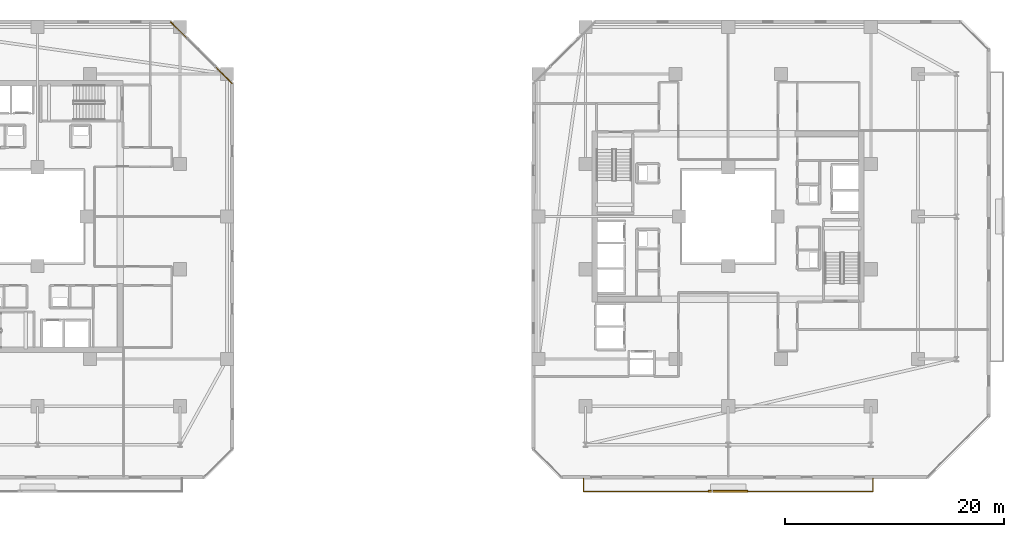
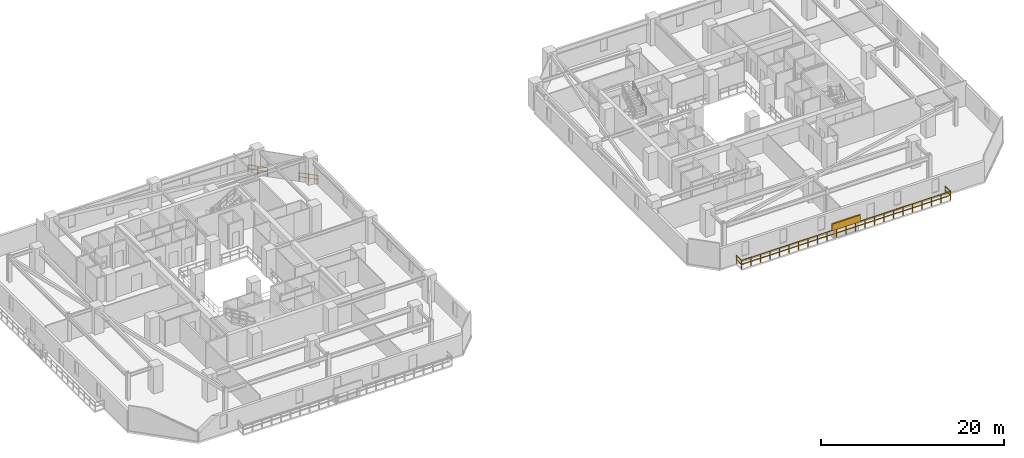
# One storey, part 29 of 31: 3 railings, 1 shading device.
"""IFC4 building model written with IfcOpenShell, lengths in metres."""

from ifc_helpers import new_model, si_unit, direction, frame, origin, origin_2d, place, context, subcontext, project, spatial, rectangle, extrude, material, type_object, element, save


model = new_model("IFC4")

# Units and contexts
model_context = context("Model", 3, precision=1e-05, world=origin(), true_north=direction((0.0, 1.0)))
body_context = subcontext(model_context, "Body", "Model", "MODEL_VIEW")
ifc_project = project(units=[si_unit("LENGTHUNIT", "METRE"), si_unit("AREAUNIT", "SQUARE_METRE"), si_unit("VOLUMEUNIT", "CUBIC_METRE"), si_unit("PLANEANGLEUNIT", "RADIAN"), si_unit("MASSUNIT", "GRAM", prefix="KILO")], contexts=[model_context])

# Site, building, storey
site_placement = place(None, origin())
site = spatial("IfcSite", under=ifc_project, at=site_placement, CompositionType="ELEMENT")
building_placement = place(site_placement, origin())
building = spatial("IfcBuilding", under=site, at=building_placement, Name="Thornwick Lancets Civic Towers", CompositionType="ELEMENT")
storey_placement = place(building_placement, frame((0.0, 0.0, 126.89990234375)))
storey = spatial("IfcBuildingStorey", under=building, at=storey_placement, Name="L33", CompositionType="ELEMENT", Elevation=126.89990234375)

# Railings
ifc_material_1 = material(Name="Terracotta-capped laminated glass balustrade S355", Category="masonry")
railing_type = type_object("IfcRailingType", Name="RAIL_TERR_GUARD", PredefinedType="GUARDRAIL", material=ifc_material_1)
railing_1_placement = place(storey_placement, frame((43.254638671875, 39.14794921875, 0.0)))
element("IfcRailing", 1, at=railing_1_placement, inside=storey, type_object=railing_type, Name="L33 Tower A Chamfer Spandrel Guard E3-1", PredefinedType="GUARDRAIL", context=body_context, shape_type="SweptSolid", body=[
    extrude(rectangle(XDim=0.048095703125, YDim=0.048095703125, at=origin_2d()), frame((0.0, 0.0, 1.1259765625), z_axis=(-0.707162929738, 0.707050628177, 0.0), x_axis=(-0.707050628177, -0.707162929738, 0.0)), (0.0, 0.0, 1.0), 2.174072265625),
    extrude(rectangle(XDim=0.0419921875, YDim=0.0419921875, at=origin_2d()), frame((-0.026611328125, 0.026611328125, 0.597900390625), z_axis=(-0.707162929738, 0.707050628177, 0.0), x_axis=(-0.707050628177, -0.707162929738, 0.0)), (0.0, 0.0, 1.0), 1.011962890625),
    extrude(rectangle(XDim=0.0419921875, YDim=0.0419921875, at=origin_2d()), frame((-0.795166015625, 0.795166015625, 0.597900390625), z_axis=(-0.707162929738, 0.707050628177, 0.0), x_axis=(-0.707050628177, -0.707162929738, 0.0)), (0.0, 0.0, 1.0), 1.011962890625),
    extrude(rectangle(XDim=0.0419921875, YDim=0.0419921875, at=origin_2d()), origin(), (0.0, 0.0, 1.0), 1.095703125),
    extrude(rectangle(XDim=0.0419921875, YDim=0.0419921875, at=origin_2d()), frame((-0.7685546875, 0.7685546875, 0.0)), (0.0, 0.0, 1.0), 1.095703125),
    extrude(rectangle(XDim=0.0419921875, YDim=0.0419921875, at=origin_2d()), frame((-1.537353515625, 1.537109375, 0.0)), (0.0, 0.0, 1.0), 1.095703125),
])
railing_2_placement = place(storey_placement, frame((39.18505859375, 43.21728515625, 0.0)))
element("IfcRailing", 2, at=railing_2_placement, inside=storey, type_object=railing_type, Name="L33 Tower A Chamfer Spandrel Guard E3-2", PredefinedType="GUARDRAIL", context=body_context, shape_type="SweptSolid", body=[
    extrude(rectangle(XDim=0.048095703125, YDim=0.048095703125, at=origin_2d()), frame((0.0, 0.0, 1.1259765625), z_axis=(-0.707050628177, 0.707162929738, 0.0), x_axis=(-0.707162929738, -0.707050628177, 0.0)), (0.0, 0.0, 1.0), 2.174072265625),
    extrude(rectangle(XDim=0.0419921875, YDim=0.0419921875, at=origin_2d()), frame((-0.026611328125, 0.026611328125, 0.597900390625), z_axis=(-0.707050628177, 0.707162929738, 0.0), x_axis=(-0.707162929738, -0.707050628177, 0.0)), (0.0, 0.0, 1.0), 1.011962890625),
    extrude(rectangle(XDim=0.0419921875, YDim=0.0419921875, at=origin_2d()), frame((-0.795166015625, 0.795166015625, 0.597900390625), z_axis=(-0.707050628177, 0.707162929738, 0.0), x_axis=(-0.707162929738, -0.707050628177, 0.0)), (0.0, 0.0, 1.0), 1.011962890625),
    extrude(rectangle(XDim=0.0419921875, YDim=0.0419921875, at=origin_2d()), origin(), (0.0, 0.0, 1.0), 1.095703125),
    extrude(rectangle(XDim=0.0419921875, YDim=0.0419921875, at=origin_2d()), frame((-0.7685546875, 0.7685546875, 0.0)), (0.0, 0.0, 1.0), 1.095703125),
    extrude(rectangle(XDim=0.0419921875, YDim=0.0419921875, at=origin_2d()), frame((-1.537109375, 1.537353515625, 0.0)), (0.0, 0.0, 1.0), 1.095703125),
])
railing_3_placement = place(storey_placement, frame((75.300048828125, 3.10009765625, 0.0)))
element("IfcRailing", 3, at=railing_3_placement, inside=storey, type_object=railing_type, Name="L33 Tower B Balcony Guard S", PredefinedType="GUARDRAIL", context=body_context, shape_type="SweptSolid", body=[
    extrude(rectangle(XDim=0.048095703125, YDim=0.048095703125, at=origin_2d()), frame((0.0, 0.0, 1.1259765625), z_axis=(0.0, -1.0, 0.0), x_axis=(1.0, 0.0, 0.0)), (0.0, 0.0, 1.0), 1.138916015625),
    extrude(rectangle(XDim=0.0419921875, YDim=0.0419921875, at=origin_2d()), frame((0.0, -0.03759765625, 0.597900390625), z_axis=(0.0, -1.0, 0.0), x_axis=(1.0, 0.0, 0.0)), (0.0, 0.0, 1.0), 1.09521484375),
    extrude(rectangle(XDim=0.048095703125, YDim=0.048095703125, at=origin_2d()), frame((0.03125, -1.170166015625, 1.1259765625), z_axis=(1.0, 0.0, 0.0), x_axis=(0.0, 1.0, 0.0)), (0.0, 0.0, 1.0), 26.33740234375),
    extrude(rectangle(XDim=0.0419921875, YDim=0.0419921875, at=origin_2d()), frame((0.03759765625, -1.170166015625, 0.597900390625), z_axis=(1.0, 0.0, 0.0), x_axis=(0.0, 1.0, 0.0)), (0.0, 0.0, 1.0), 1.125),
    extrude(rectangle(XDim=0.0419921875, YDim=0.0419921875, at=origin_2d()), frame((1.237548828125, -1.170166015625, 0.597900390625), z_axis=(1.0, 0.0, 0.0), x_axis=(0.0, 1.0, 0.0)), (0.0, 0.0, 1.0), 1.125),
    extrude(rectangle(XDim=0.0419921875, YDim=0.0419921875, at=origin_2d()), frame((2.4375, -1.170166015625, 0.597900390625), z_axis=(1.0, 0.0, 0.0), x_axis=(0.0, 1.0, 0.0)), (0.0, 0.0, 1.0), 1.125),
    extrude(rectangle(XDim=0.0419921875, YDim=0.0419921875, at=origin_2d()), frame((3.637451171875, -1.170166015625, 0.597900390625), z_axis=(1.0, 0.0, 0.0), x_axis=(0.0, 1.0, 0.0)), (0.0, 0.0, 1.0), 1.125),
    extrude(rectangle(XDim=0.0419921875, YDim=0.0419921875, at=origin_2d()), frame((4.83740234375, -1.170166015625, 0.597900390625), z_axis=(1.0, 0.0, 0.0), x_axis=(0.0, 1.0, 0.0)), (0.0, 0.0, 1.0), 1.125),
    extrude(rectangle(XDim=0.0419921875, YDim=0.0419921875, at=origin_2d()), frame((6.037353515625, -1.170166015625, 0.597900390625), z_axis=(1.0, 0.0, 0.0), x_axis=(0.0, 1.0, 0.0)), (0.0, 0.0, 1.0), 1.125),
    extrude(rectangle(XDim=0.0419921875, YDim=0.0419921875, at=origin_2d()), frame((7.237548828125, -1.170166015625, 0.597900390625), z_axis=(1.0, 0.0, 0.0), x_axis=(0.0, 1.0, 0.0)), (0.0, 0.0, 1.0), 1.125),
    extrude(rectangle(XDim=0.0419921875, YDim=0.0419921875, at=origin_2d()), frame((8.4375, -1.170166015625, 0.597900390625), z_axis=(1.0, 0.0, 0.0), x_axis=(0.0, 1.0, 0.0)), (0.0, 0.0, 1.0), 1.125),
    extrude(rectangle(XDim=0.0419921875, YDim=0.0419921875, at=origin_2d()), frame((9.637451171875, -1.170166015625, 0.597900390625), z_axis=(1.0, 0.0, 0.0), x_axis=(0.0, 1.0, 0.0)), (0.0, 0.0, 1.0), 1.125),
    extrude(rectangle(XDim=0.0419921875, YDim=0.0419921875, at=origin_2d()), frame((10.83740234375, -1.170166015625, 0.597900390625), z_axis=(1.0, 0.0, 0.0), x_axis=(0.0, 1.0, 0.0)), (0.0, 0.0, 1.0), 1.125),
    extrude(rectangle(XDim=0.0419921875, YDim=0.0419921875, at=origin_2d()), frame((12.037353515625, -1.170166015625, 0.597900390625), z_axis=(1.0, 0.0, 0.0), x_axis=(0.0, 1.0, 0.0)), (0.0, 0.0, 1.0), 1.125),
    extrude(rectangle(XDim=0.0419921875, YDim=0.0419921875, at=origin_2d()), frame((13.237548828125, -1.170166015625, 0.597900390625), z_axis=(1.0, 0.0, 0.0), x_axis=(0.0, 1.0, 0.0)), (0.0, 0.0, 1.0), 1.125),
    extrude(rectangle(XDim=0.0419921875, YDim=0.0419921875, at=origin_2d()), frame((14.4375, -1.170166015625, 0.597900390625), z_axis=(1.0, 0.0, 0.0), x_axis=(0.0, 1.0, 0.0)), (0.0, 0.0, 1.0), 1.125),
    extrude(rectangle(XDim=0.0419921875, YDim=0.0419921875, at=origin_2d()), frame((15.637451171875, -1.170166015625, 0.597900390625), z_axis=(1.0, 0.0, 0.0), x_axis=(0.0, 1.0, 0.0)), (0.0, 0.0, 1.0), 1.125),
    extrude(rectangle(XDim=0.0419921875, YDim=0.0419921875, at=origin_2d()), frame((16.83740234375, -1.170166015625, 0.597900390625), z_axis=(1.0, 0.0, 0.0), x_axis=(0.0, 1.0, 0.0)), (0.0, 0.0, 1.0), 1.125),
    extrude(rectangle(XDim=0.0419921875, YDim=0.0419921875, at=origin_2d()), frame((18.037353515625, -1.170166015625, 0.597900390625), z_axis=(1.0, 0.0, 0.0), x_axis=(0.0, 1.0, 0.0)), (0.0, 0.0, 1.0), 1.125),
    extrude(rectangle(XDim=0.0419921875, YDim=0.0419921875, at=origin_2d()), frame((19.2373046875, -1.170166015625, 0.597900390625), z_axis=(1.0, 0.0, 0.0), x_axis=(0.0, 1.0, 0.0)), (0.0, 0.0, 1.0), 1.125),
    extrude(rectangle(XDim=0.0419921875, YDim=0.0419921875, at=origin_2d()), frame((20.4375, -1.170166015625, 0.597900390625), z_axis=(1.0, 0.0, 0.0), x_axis=(0.0, 1.0, 0.0)), (0.0, 0.0, 1.0), 1.125),
    extrude(rectangle(XDim=0.0419921875, YDim=0.0419921875, at=origin_2d()), frame((21.637451171875, -1.170166015625, 0.597900390625), z_axis=(1.0, 0.0, 0.0), x_axis=(0.0, 1.0, 0.0)), (0.0, 0.0, 1.0), 1.125),
    extrude(rectangle(XDim=0.0419921875, YDim=0.0419921875, at=origin_2d()), frame((22.83740234375, -1.170166015625, 0.597900390625), z_axis=(1.0, 0.0, 0.0), x_axis=(0.0, 1.0, 0.0)), (0.0, 0.0, 1.0), 1.125),
    extrude(rectangle(XDim=0.0419921875, YDim=0.0419921875, at=origin_2d()), frame((24.037353515625, -1.170166015625, 0.597900390625), z_axis=(1.0, 0.0, 0.0), x_axis=(0.0, 1.0, 0.0)), (0.0, 0.0, 1.0), 1.125),
    extrude(rectangle(XDim=0.0419921875, YDim=0.0419921875, at=origin_2d()), frame((25.2373046875, -1.170166015625, 0.597900390625), z_axis=(1.0, 0.0, 0.0), x_axis=(0.0, 1.0, 0.0)), (0.0, 0.0, 1.0), 1.125),
    extrude(rectangle(XDim=0.048095703125, YDim=0.048095703125, at=origin_2d()), frame((26.39990234375, -1.138916015625, 1.1259765625), z_axis=(0.0, 1.0, 0.0), x_axis=(-1.0, 0.0, 0.0)), (0.0, 0.0, 1.0), 1.138916015625),
    extrude(rectangle(XDim=0.0419921875, YDim=0.0419921875, at=origin_2d()), frame((26.39990234375, -1.132568359375, 0.597900390625), z_axis=(0.0, 1.0, 0.0), x_axis=(-1.0, 0.0, 0.0)), (0.0, 0.0, 1.0), 1.09521484375),
    extrude(rectangle(XDim=0.0419921875, YDim=0.0419921875, at=origin_2d()), origin(), (0.0, 0.0, 1.0), 1.095703125),
    extrude(rectangle(XDim=0.0419921875, YDim=0.0419921875, at=origin_2d()), frame((0.0, -1.170166015625, 0.0)), (0.0, 0.0, 1.0), 1.095703125),
    extrude(rectangle(XDim=0.0419921875, YDim=0.0419921875, at=origin_2d()), frame((1.199951171875, -1.170166015625, 0.0)), (0.0, 0.0, 1.0), 1.095703125),
    extrude(rectangle(XDim=0.0419921875, YDim=0.0419921875, at=origin_2d()), frame((2.39990234375, -1.170166015625, 0.0)), (0.0, 0.0, 1.0), 1.095703125),
    extrude(rectangle(XDim=0.0419921875, YDim=0.0419921875, at=origin_2d()), frame((3.60009765625, -1.170166015625, 0.0)), (0.0, 0.0, 1.0), 1.095703125),
    extrude(rectangle(XDim=0.0419921875, YDim=0.0419921875, at=origin_2d()), frame((4.800048828125, -1.170166015625, 0.0)), (0.0, 0.0, 1.0), 1.095703125),
    extrude(rectangle(XDim=0.0419921875, YDim=0.0419921875, at=origin_2d()), frame((6.0, -1.170166015625, 0.0)), (0.0, 0.0, 1.0), 1.095703125),
    extrude(rectangle(XDim=0.0419921875, YDim=0.0419921875, at=origin_2d()), frame((7.199951171875, -1.170166015625, 0.0)), (0.0, 0.0, 1.0), 1.095703125),
    extrude(rectangle(XDim=0.0419921875, YDim=0.0419921875, at=origin_2d()), frame((8.39990234375, -1.170166015625, 0.0)), (0.0, 0.0, 1.0), 1.095703125),
    extrude(rectangle(XDim=0.0419921875, YDim=0.0419921875, at=origin_2d()), frame((9.599853515625, -1.170166015625, 0.0)), (0.0, 0.0, 1.0), 1.095703125),
    extrude(rectangle(XDim=0.0419921875, YDim=0.0419921875, at=origin_2d()), frame((10.800048828125, -1.170166015625, 0.0)), (0.0, 0.0, 1.0), 1.095703125),
    extrude(rectangle(XDim=0.0419921875, YDim=0.0419921875, at=origin_2d()), frame((12.0, -1.170166015625, 0.0)), (0.0, 0.0, 1.0), 1.095703125),
    extrude(rectangle(XDim=0.0419921875, YDim=0.0419921875, at=origin_2d()), frame((13.199951171875, -1.170166015625, 0.0)), (0.0, 0.0, 1.0), 1.095703125),
    extrude(rectangle(XDim=0.0419921875, YDim=0.0419921875, at=origin_2d()), frame((14.39990234375, -1.170166015625, 0.0)), (0.0, 0.0, 1.0), 1.095703125),
    extrude(rectangle(XDim=0.0419921875, YDim=0.0419921875, at=origin_2d()), frame((15.599853515625, -1.170166015625, 0.0)), (0.0, 0.0, 1.0), 1.095703125),
    extrude(rectangle(XDim=0.0419921875, YDim=0.0419921875, at=origin_2d()), frame((16.800048828125, -1.170166015625, 0.0)), (0.0, 0.0, 1.0), 1.095703125),
    extrude(rectangle(XDim=0.0419921875, YDim=0.0419921875, at=origin_2d()), frame((18.0, -1.170166015625, 0.0)), (0.0, 0.0, 1.0), 1.095703125),
    extrude(rectangle(XDim=0.0419921875, YDim=0.0419921875, at=origin_2d()), frame((19.199951171875, -1.170166015625, 0.0)), (0.0, 0.0, 1.0), 1.095703125),
    extrude(rectangle(XDim=0.0419921875, YDim=0.0419921875, at=origin_2d()), frame((20.39990234375, -1.170166015625, 0.0)), (0.0, 0.0, 1.0), 1.095703125),
    extrude(rectangle(XDim=0.0419921875, YDim=0.0419921875, at=origin_2d()), frame((21.599853515625, -1.170166015625, 0.0)), (0.0, 0.0, 1.0), 1.095703125),
    extrude(rectangle(XDim=0.0419921875, YDim=0.0419921875, at=origin_2d()), frame((22.7998046875, -1.170166015625, 0.0)), (0.0, 0.0, 1.0), 1.095703125),
    extrude(rectangle(XDim=0.0419921875, YDim=0.0419921875, at=origin_2d()), frame((24.0, -1.170166015625, 0.0)), (0.0, 0.0, 1.0), 1.095703125),
    extrude(rectangle(XDim=0.0419921875, YDim=0.0419921875, at=origin_2d()), frame((25.199951171875, -1.170166015625, 0.0)), (0.0, 0.0, 1.0), 1.095703125),
    extrude(rectangle(XDim=0.0419921875, YDim=0.0419921875, at=origin_2d()), frame((26.39990234375, -1.170166015625, 0.0)), (0.0, 0.0, 1.0), 1.095703125),
    extrude(rectangle(XDim=0.0419921875, YDim=0.0419921875, at=origin_2d()), frame((26.39990234375, 0.0, 0.0)), (0.0, 0.0, 1.0), 1.095703125),
])

# Shading device
ifc_material_2 = material(Name="Extruded terracotta baguette solar screen", Category="masonry")
shading_device_type = type_object("IfcShadingDeviceType", Name="SHADE_BAGUETTE", PredefinedType="JALOUSIE", material=ifc_material_2)
shading_device_placement = place(storey_placement, frame((88.5, 1.93994140625, 1.1201171875), z_axis=(0.0, 0.0, 1.0), x_axis=(1.0, 0.0, 0.0)))
element("IfcShadingDevice", 4, at=shading_device_placement, inside=storey, type_object=shading_device_type, Name="L33 Tower B Terracotta Baguette Screen S", PredefinedType="JALOUSIE", context=body_context, shape_type="SweptSolid", body=[
    extrude(rectangle(XDim=3.60009765625, YDim=0.179931640625, at=origin_2d()), origin(), (0.0, 0.0, 1.0), 0.89990234375),
])

save(model, "model.ifc")
